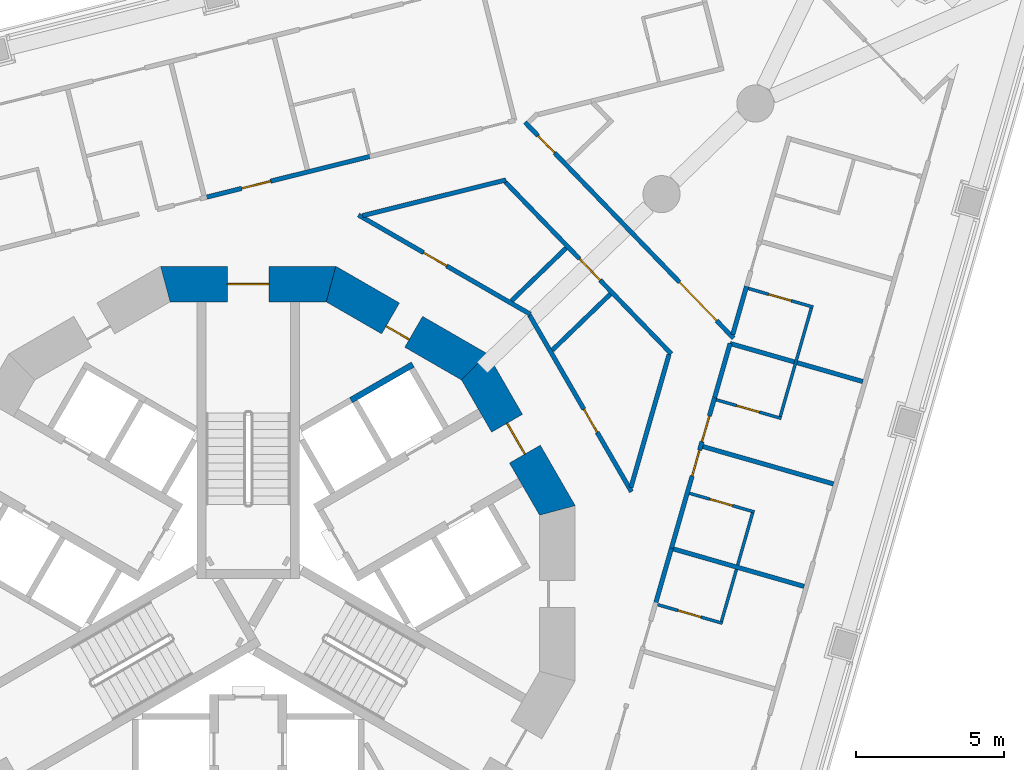
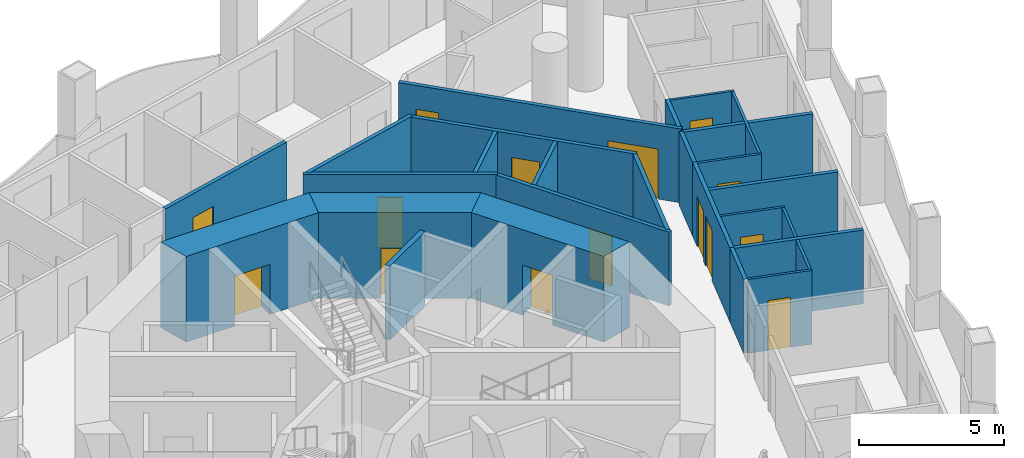
# One storey, part 10 of 20: 27 walls, 15 doors, 15 openings.
"""IFC4 building model written with IfcOpenShell, lengths in metres."""

from ifc_helpers import new_model, si_unit, direction, frame, frame_2d, origin, place, context, subcontext, project, spatial, polyline, rectangle, outline, extrude, material, layer, layer_set, type_object, element, fill, save


model = new_model("IFC4")

# Units and contexts
model_context = context("Model", 3, precision=1e-05, world=origin(), true_north=direction((0.0, 1.0)))
body_context = subcontext(model_context, "Body", "Model", "MODEL_VIEW")
ifc_project = project(units=[si_unit("LENGTHUNIT", "METRE"), si_unit("AREAUNIT", "SQUARE_METRE"), si_unit("VOLUMEUNIT", "CUBIC_METRE"), si_unit("PLANEANGLEUNIT", "RADIAN"), si_unit("MASSUNIT", "GRAM", prefix="KILO")], contexts=[model_context])

# Site, building, storey
site_placement = place(None, origin())
site = spatial("IfcSite", under=ifc_project, at=site_placement, CompositionType="ELEMENT")
building_placement = place(site_placement, origin())
building = spatial("IfcBuilding", under=site, at=building_placement, Name="Trine Commons Tower", CompositionType="ELEMENT")
storey_placement = place(building_placement, frame((0.0, 0.0, 116.10009765625)))
storey = spatial("IfcBuildingStorey", under=building, at=storey_placement, Name="L29", CompositionType="ELEMENT", Elevation=116.10009765625)

# Wall, opening, door
ifc_material_1 = material(Name="Concrete C70/85", Category="concrete")
ifc_layer_1 = layer(ifc_material_1, 1.199951171875)
ifc_layer_set_1 = layer_set([ifc_layer_1], Name="Concrete C70/85")
wall_type_1 = type_object("IfcWallType", Name="RC shear wall 1200 mm, C70/85", PredefinedType="SHEAR", material=ifc_layer_set_1)
wall_1_placement = place(storey_placement, frame((90.491943359375, 65.150390625, 0.0), z_axis=(0.0, 0.0, 1.0), x_axis=(-0.499979111662, 0.866037463336, 0.0)))
wall_1 = element("IfcWall", 1, at=wall_1_placement, inside=storey, type_object=wall_type_1, Name="Core wall CWC-02 L29", PredefinedType="SHEAR", context=body_context, shape_type="SweptSolid", body=[
    extrude(outline(polyline([(0.0, -0.60009765625), (5.901123046875, -0.60009765625), (5.57958984375, 0.60009765625), (0.321533203125, 0.60009765625), (0.0, -0.60009765625)])), origin(), (0.0, 0.0, 1.0), 3.599853515625),
])
opening_1_placement = place(wall_1_placement, frame((2.3505859375, 0.0, 0.0)))
opening_1 = element("IfcOpeningElement", 2, at=opening_1_placement, cuts=wall_1, Name="Opening K04.04", PredefinedType="OPENING", context=body_context, shape_type="SweptSolid", body=[
    extrude(rectangle(XDim=1.199951171875, YDim=2.10009765625, at=frame_2d((0.60009765625, 1.050048828125))), frame((0.0, 0.60986328125, 0.0), z_axis=(0.0, -1.0, 0.0), x_axis=(1.0, 0.0, 0.0)), (0.0, 0.0, 1.0), 1.219970703125),
])
ifc_material_2 = material(Name="Steel door leaves, fire-rated", Category="steel")
door_type_1 = type_object("IfcDoorType", Name="Lobby door, double leaf 1200 x 2100, FD60", OperationType="DOUBLE_DOOR_SINGLE_SWING", PredefinedType="DOOR", material=ifc_material_2)
door_1_placement = place(opening_1_placement, origin())
door_1 = element("IfcDoor", 3, at=door_1_placement, inside=storey, type_object=door_type_1, Name="Lobby door, Passenger lift lobby A L29", OperationType="DOUBLE_DOOR_SINGLE_SWING", OverallHeight=2.10009765625, OverallWidth=1.199951171875, PredefinedType="DOOR", context=body_context, shape_type="SweptSolid", body=[
    extrude(rectangle(XDim=1.199951171875, YDim=2.10009765625, at=frame_2d((0.60009765625, 1.050048828125))), frame((0.0, 0.02490234375, 0.0), z_axis=(0.0, -1.0, 0.0), x_axis=(1.0, 0.0, 0.0)), (0.0, 0.0, 1.0), 0.050048828125),
])
fill(opening_1, door_1)

wall_2_placement = place(storey_placement, frame((87.760986328125, 70.04150390625, 0.0), z_axis=(0.0, 0.0, 1.0), x_axis=(-0.866037463336, 0.499979111662, 0.0)))
wall_2 = element("IfcWall", 4, at=wall_2_placement, inside=storey, type_object=wall_type_1, Name="Core wall CWC-03 L29", PredefinedType="SHEAR", context=body_context, shape_type="SweptSolid", body=[
    extrude(outline(polyline([(0.0, -0.60009765625), (5.901123046875, -0.60009765625), (5.57958984375, 0.60009765625), (0.321533203125, 0.60009765625), (0.0, -0.60009765625)])), origin(), (0.0, 0.0, 1.0), 3.599853515625),
])
opening_2_placement = place(wall_2_placement, frame((2.526611328125, 0.0, 0.0)))
opening_2 = element("IfcOpeningElement", 5, at=opening_2_placement, cuts=wall_2, Name="Opening K04.12", PredefinedType="OPENING", context=body_context, shape_type="SweptSolid", body=[
    extrude(rectangle(XDim=0.89990234375, YDim=2.10009765625, at=frame_2d((0.449951171875, 1.050048828125))), frame((0.0, 0.60986328125, 0.0), z_axis=(0.0, -1.0, 0.0), x_axis=(1.0, 0.0, 0.0)), (0.0, 0.0, 1.0), 1.219970703125),
])
ifc_material_3 = material(Name="Steel door leaf, fire-rated", Category="steel")
door_type_2 = type_object("IfcDoorType", Name="Core room door, single leaf 900 x 2100, FD30S", OperationType="SINGLE_SWING_LEFT", PredefinedType="DOOR", material=ifc_material_3)
door_2_placement = place(opening_2_placement, origin())
door_2 = element("IfcDoor", 6, at=door_2_placement, inside=storey, type_object=door_type_2, Name="Door to Linen store L29", OperationType="SINGLE_SWING_RIGHT", OverallHeight=2.10009765625, OverallWidth=0.89990234375, PredefinedType="DOOR", context=body_context, shape_type="SweptSolid", body=[
    extrude(rectangle(XDim=0.89990234375, YDim=2.10009765625, at=frame_2d((0.449951171875, 1.050048828125))), frame((0.0, 0.3251953125, 0.0), z_axis=(0.0, -1.0, 0.0), x_axis=(1.0, 0.0, 0.0)), (0.0, 0.0, 1.0), 0.050048828125),
])
fill(opening_2, door_2)

wall_3_placement = place(storey_placement, frame((82.950439453125, 72.91162109375, 0.0), z_axis=(0.0, 0.0, 1.0), x_axis=(-1.0, 0.0, 0.0)))
wall_3 = element("IfcWall", 7, at=wall_3_placement, inside=storey, type_object=wall_type_1, Name="Core wall CWC-04 L29", PredefinedType="SHEAR", context=body_context, shape_type="SweptSolid", body=[
    extrude(outline(polyline([(0.0, -0.60009765625), (5.90087890625, -0.60009765625), (5.57958984375, 0.60009765625), (0.321533203125, 0.60009765625), (0.0, -0.60009765625)])), origin(), (0.0, 0.0, 1.0), 3.599853515625),
])
opening_3_placement = place(wall_3_placement, frame((2.25048828125, 0.0, 0.0)))
opening_3 = element("IfcOpeningElement", 8, at=opening_3_placement, cuts=wall_3, Name="Opening K04.01", PredefinedType="OPENING", context=body_context, shape_type="SweptSolid", body=[
    extrude(rectangle(XDim=1.39990234375, YDim=2.10009765625, at=frame_2d((0.699951171875, 1.050048828125))), frame((0.0, 0.60986328125, 0.0), z_axis=(0.0, -1.0, 0.0), x_axis=(1.0, 0.0, 0.0)), (0.0, 0.0, 1.0), 1.219970703125),
])
door_type_3 = type_object("IfcDoorType", Name="Stair door, double leaf 1400 x 2100, FD90", OperationType="DOUBLE_DOOR_SINGLE_SWING", PredefinedType="DOOR", material=ifc_material_2)
door_3_placement = place(opening_3_placement, origin())
door_3 = element("IfcDoor", 9, at=door_3_placement, inside=storey, type_object=door_type_3, Name="Stair door to Exit stair ST1A L29", OperationType="DOUBLE_DOOR_SINGLE_SWING", OverallHeight=2.10009765625, OverallWidth=1.39990234375, PredefinedType="DOOR", context=body_context, shape_type="SweptSolid", body=[
    extrude(rectangle(XDim=1.39990234375, YDim=2.10009765625, at=frame_2d((0.699951171875, 1.050048828125))), frame((0.0, 0.02490234375, 0.0), z_axis=(0.0, -1.0, 0.0), x_axis=(1.0, 0.0, 0.0)), (0.0, 0.0, 1.0), 0.050048828125),
])
fill(opening_3, door_3)

# Wall
ifc_material_4 = material(Name="Fire-rated gypsum shaft wall system")
ifc_layer_2 = layer(ifc_material_4, 0.199951171875)
ifc_layer_set_2 = layer_set([ifc_layer_2], Name="Fire-rated gypsum shaft wall system")
wall_type_2 = type_object("IfcWallType", Name="Shaft wall 200 mm, EI 120", PredefinedType="PARTITIONING", material=ifc_layer_set_2)
wall_4_placement = place(storey_placement, frame((83.4619140625, 69.001953125, 0.0), z_axis=(0.0, 0.0, 1.0), x_axis=(0.866202511239, 0.499693115345, 0.0)))
element("IfcWall", 10, at=wall_4_placement, inside=storey, type_object=wall_type_2, Name="Shaft wall L29", PredefinedType="PARTITIONING", context=body_context, shape_type="SweptSolid", body=[
    extrude(rectangle(XDim=2.4013671875, YDim=0.199951171875, at=frame_2d((1.20068359375, 0.0))), origin(), (0.0, 0.0, 1.0), 3.099853515625),
])

# Wall, opening, door
ifc_material_5 = material(Name="Gypsum plasterboard on steel stud", Category="steel")
ifc_layer_3 = layer(ifc_material_5, 0.14990234375)
ifc_layer_set_3 = layer_set([ifc_layer_3], Name="Gypsum plasterboard on steel stud")
wall_type_3 = type_object("IfcWallType", Name="Unit and corridor wall 150 mm, EI 60", PredefinedType="PARTITIONING", material=ifc_layer_set_3)
wall_5_placement = place(storey_placement, frame((78.52392578125, 75.820068359375, 0.0), z_axis=(0.0, 0.0, 1.0), x_axis=(0.970305795141, 0.241881508008, 0.0)))
wall_5 = element("IfcWall", 11, at=wall_5_placement, inside=storey, type_object=wall_type_3, Name="Partition 067", PredefinedType="PARTITIONING", context=body_context, shape_type="SweptSolid", body=[
    extrude(rectangle(XDim=5.796630859375, YDim=0.14990234375, at=frame_2d((2.8984375, 0.0))), origin(), (0.0, 0.0, 1.0), 3.099853515625),
])
opening_4_placement = place(wall_5_placement, frame((1.29833984375, 0.0, 0.0)))
opening_4 = element("IfcOpeningElement", 12, at=opening_4_placement, cuts=wall_5, Name="Opening D-3C13", PredefinedType="OPENING", context=body_context, shape_type="SweptSolid", body=[
    extrude(rectangle(XDim=1.0, YDim=2.10009765625, at=frame_2d((0.5, 1.050048828125))), frame((0.0, 0.0849609375, 0.0), z_axis=(0.0, -1.0, 0.0), x_axis=(1.0, 0.0, 0.0)), (0.0, 0.0, 1.0), 0.169921875),
])
ifc_material_6 = material(Name="Painted timber", Category="wood")
door_type_4 = type_object("IfcDoorType", Name="Amenity room door 1000 x 2100, NOT RATED", OperationType="NOTDEFINED", PredefinedType="DOOR", material=ifc_material_6)
door_4_placement = place(opening_4_placement, origin())
door_4 = element("IfcDoor", 13, at=door_4_placement, inside=storey, type_object=door_type_4, Name="Door D-3C13", OperationType="SINGLE_SWING_LEFT", OverallHeight=2.10009765625, OverallWidth=1.0, PredefinedType="DOOR", context=body_context, shape_type="SweptSolid", body=[
    extrude(rectangle(XDim=1.0, YDim=2.10009765625, at=frame_2d((0.5, 1.050048828125))), frame((0.0, 0.02490234375, 0.0), z_axis=(0.0, -1.0, 0.0), x_axis=(1.0, 0.0, 0.0)), (0.0, 0.0, 1.0), 0.050048828125),
])
fill(opening_4, door_4)

wall_6_placement = place(storey_placement, frame((83.7119140625, 75.237548828125, 0.0), z_axis=(0.0, 0.0, 1.0), x_axis=(0.866033484359, -0.499986003774, 0.0)))
wall_6 = element("IfcWall", 14, at=wall_6_placement, inside=storey, type_object=wall_type_3, Name="Partition 084", PredefinedType="PARTITIONING", context=body_context, shape_type="SweptSolid", body=[
    extrude(rectangle(XDim=6.682373046875, YDim=0.14990234375, at=frame_2d((3.34130859375, 0.0))), origin(), (0.0, 0.0, 1.0), 3.099853515625),
])
opening_5_placement = place(wall_6_placement, frame((2.53271484375, 0.0, 0.0)))
opening_5 = element("IfcOpeningElement", 15, at=opening_5_placement, cuts=wall_6, Name="Opening D-3C35", PredefinedType="OPENING", context=body_context, shape_type="SweptSolid", body=[
    extrude(rectangle(XDim=0.89990234375, YDim=2.10009765625, at=frame_2d((0.449951171875, 1.050048828125))), frame((0.0, 0.0849609375, 0.0), z_axis=(0.0, -1.0, 0.0), x_axis=(1.0, 0.0, 0.0)), (0.0, 0.0, 1.0), 0.169921875),
])
ifc_material_7 = material(Name="Timber fire door set", Category="wood")
door_type_5 = type_object("IfcDoorType", Name="Service door 900 x 2100, FD30S", OperationType="NOTDEFINED", PredefinedType="DOOR", material=ifc_material_7)
door_5_placement = place(opening_5_placement, origin())
door_5 = element("IfcDoor", 16, at=door_5_placement, inside=storey, type_object=door_type_5, Name="Door D-3C35", OperationType="SINGLE_SWING_LEFT", OverallHeight=2.10009765625, OverallWidth=0.89990234375, PredefinedType="DOOR", context=body_context, shape_type="SweptSolid", body=[
    extrude(rectangle(XDim=0.89990234375, YDim=2.10009765625, at=frame_2d((0.449951171875, 1.050048828125))), frame((0.0, 0.02490234375, 0.0), z_axis=(0.0, -1.0, 0.0), x_axis=(1.0, 0.0, 0.0)), (0.0, 0.0, 1.0), 0.050048828125),
])
fill(opening_5, door_5)

# Wall
wall_7_placement = place(storey_placement, frame((83.852783203125, 75.216064453125, 0.0), z_axis=(0.0, 0.0, 1.0), x_axis=(0.970312588938, 0.241854253112, 0.0)))
element("IfcWall", 17, at=wall_7_placement, inside=storey, type_object=wall_type_3, Name="Partition 085", PredefinedType="PARTITIONING", context=body_context, shape_type="SweptSolid", body=[
    extrude(rectangle(XDim=4.974609375, YDim=0.14990234375, at=frame_2d((2.4873046875, 0.0))), origin(), (0.0, 0.0, 1.0), 3.099853515625),
])

# Wall, opening, door
wall_8_placement = place(storey_placement, frame((88.6591796875, 76.34716796875, 0.0), z_axis=(0.0, 0.0, 1.0), x_axis=(0.694672534157, -0.719326122345, 0.0)))
wall_8 = element("IfcWall", 18, at=wall_8_placement, inside=storey, type_object=wall_type_3, Name="Partition 106", PredefinedType="PARTITIONING", context=body_context, shape_type="SweptSolid", body=[
    extrude(rectangle(XDim=8.041015625, YDim=0.14990234375, at=frame_2d((4.0205078125, 0.0))), origin(), (0.0, 0.0, 1.0), 3.099853515625),
])
opening_6_placement = place(wall_8_placement, frame((3.595458984375, 0.0, 0.0)))
opening_6 = element("IfcOpeningElement", 19, at=opening_6_placement, cuts=wall_8, Name="Opening D-3C42", PredefinedType="OPENING", context=body_context, shape_type="SweptSolid", body=[
    extrude(rectangle(XDim=1.0, YDim=2.10009765625, at=frame_2d((0.5, 1.050048828125))), frame((0.0, 0.0849609375, 0.0), z_axis=(0.0, -1.0, 0.0), x_axis=(1.0, 0.0, 0.0)), (0.0, 0.0, 1.0), 0.169921875),
])
door_type_6 = type_object("IfcDoorType", Name="Toilet door 1000 x 2100, NOT RATED", OperationType="NOTDEFINED", PredefinedType="DOOR", material=ifc_material_6)
door_6_placement = place(opening_6_placement, frame((1.0, 0.0, 0.0), z_axis=(0.0, 0.0, 1.0), x_axis=(-1.0, 0.0, 0.0)))
door_6 = element("IfcDoor", 20, at=door_6_placement, inside=storey, type_object=door_type_6, Name="Door D-3C42", OperationType="SINGLE_SWING_LEFT", OverallHeight=2.10009765625, OverallWidth=1.0, PredefinedType="DOOR", context=body_context, shape_type="SweptSolid", body=[
    extrude(rectangle(XDim=1.0, YDim=2.10009765625, at=frame_2d((0.5, 1.050048828125))), frame((0.0, 0.02490234375, 0.0), z_axis=(0.0, -1.0, 0.0), x_axis=(1.0, 0.0, 0.0)), (0.0, 0.0, 1.0), 0.050048828125),
])
fill(opening_6, door_6)

# Wall
wall_9_placement = place(storey_placement, frame((88.864013671875, 72.34619140625, 0.0), z_axis=(0.0, 0.0, 1.0), x_axis=(0.719366900494, 0.694630306332, 0.0)))
element("IfcWall", 21, at=wall_9_placement, inside=storey, type_object=wall_type_3, Name="Partition 107", PredefinedType="PARTITIONING", context=body_context, shape_type="SweptSolid", body=[
    extrude(rectangle(XDim=2.55615234375, YDim=0.14990234375, at=frame_2d((1.278076171875, 0.0))), origin(), (0.0, 0.0, 1.0), 3.099853515625),
])

# Wall, openings, doors
wall_10_placement = place(storey_placement, frame((89.322998046875, 78.35791015625, 0.0), z_axis=(0.0, 0.0, 1.0), x_axis=(0.694707851552, -0.719292013713, 0.0)))
wall_10 = element("IfcWall", 22, at=wall_10_placement, inside=storey, type_object=wall_type_3, Name="Partition 112", PredefinedType="PARTITIONING", context=body_context, shape_type="SweptSolid", body=[
    extrude(rectangle(XDim=10.109619140625, YDim=0.14990234375, at=frame_2d((5.0546875, 0.0))), origin(), (0.0, 0.0, 1.0), 3.099853515625),
])
opening_7_placement = place(wall_10_placement, frame((7.484130859375, 0.0, 0.0)))
opening_7 = element("IfcOpeningElement", 23, at=opening_7_placement, cuts=wall_10, Name="Opening D-3C01", PredefinedType="OPENING", context=body_context, shape_type="SweptSolid", body=[
    extrude(rectangle(XDim=1.800048828125, YDim=2.10009765625, at=frame_2d((0.89990234375, 1.050048828125))), frame((0.0, 0.0849609375, 0.0), z_axis=(0.0, -1.0, 0.0), x_axis=(1.0, 0.0, 0.0)), (0.0, 0.0, 1.0), 0.169921875),
])
opening_8_placement = place(wall_10_placement, frame((0.628662109375, 0.0, 0.0)))
opening_8 = element("IfcOpeningElement", 24, at=opening_8_placement, cuts=wall_10, Name="Opening D-3C04", PredefinedType="OPENING", context=body_context, shape_type="SweptSolid", body=[
    extrude(rectangle(XDim=0.800048828125, YDim=2.10009765625, at=frame_2d((0.39990234375, 1.050048828125))), frame((0.0, 0.0849609375, 0.0), z_axis=(0.0, -1.0, 0.0), x_axis=(1.0, 0.0, 0.0)), (0.0, 0.0, 1.0), 0.169921875),
])
door_type_7 = type_object("IfcDoorType", Name="Cluster entrance door 1800 x 2100, double leaf, FD30S", OperationType="DOUBLE_DOOR_DOUBLE_SWING", PredefinedType="DOOR", material=ifc_material_7)
door_7_placement = place(opening_7_placement, origin())
door_7 = element("IfcDoor", 25, at=door_7_placement, inside=storey, type_object=door_type_7, Name="Door D-3C01", OperationType="DOUBLE_DOOR_DOUBLE_SWING", OverallHeight=2.10009765625, OverallWidth=1.800048828125, PredefinedType="DOOR", context=body_context, shape_type="SweptSolid", body=[
    extrude(rectangle(XDim=1.800048828125, YDim=2.10009765625, at=frame_2d((0.89990234375, 1.050048828125))), frame((0.0, 0.02490234375, 0.0), z_axis=(0.0, -1.0, 0.0), x_axis=(1.0, 0.0, 0.0)), (0.0, 0.0, 1.0), 0.050048828125),
])
fill(opening_7, door_7)
door_type_8 = type_object("IfcDoorType", Name="Toilet door 800 x 2100, NOT RATED", OperationType="NOTDEFINED", PredefinedType="DOOR", material=ifc_material_6)
door_8_placement = place(opening_8_placement, origin())
door_8 = element("IfcDoor", 26, at=door_8_placement, inside=storey, type_object=door_type_8, Name="Door D-3C04", OperationType="SINGLE_SWING_LEFT", OverallHeight=2.10009765625, OverallWidth=0.800048828125, PredefinedType="DOOR", context=body_context, shape_type="SweptSolid", body=[
    extrude(rectangle(XDim=0.800048828125, YDim=2.10009765625, at=frame_2d((0.39990234375, 1.050048828125))), frame((0.0, 0.02490234375, 0.0), z_axis=(0.0, -1.0, 0.0), x_axis=(1.0, 0.0, 0.0)), (0.0, 0.0, 1.0), 0.050048828125),
])
fill(opening_8, door_8)

# Wall, opening, door
wall_11_placement = place(storey_placement, frame((89.471435546875, 71.868896484375, 0.0), z_axis=(0.0, 0.0, 1.0), x_axis=(0.500000410344, -0.866025166872, 0.0)))
wall_11 = element("IfcWall", 27, at=wall_11_placement, inside=storey, type_object=wall_type_3, Name="Partition 114", PredefinedType="PARTITIONING", context=body_context, shape_type="SweptSolid", body=[
    extrude(rectangle(XDim=6.8681640625, YDim=0.14990234375, at=frame_2d((3.43408203125, 0.0))), origin(), (0.0, 0.0, 1.0), 3.099853515625),
])
opening_9_placement = place(wall_11_placement, frame((3.65869140625, 0.0, 0.0)))
opening_9 = element("IfcOpeningElement", 28, at=opening_9_placement, cuts=wall_11, Name="Opening D-3C37", PredefinedType="OPENING", context=body_context, shape_type="SweptSolid", body=[
    extrude(rectangle(XDim=0.89990234375, YDim=2.10009765625, at=frame_2d((0.449951171875, 1.050048828125))), frame((0.0, 0.0849609375, 0.0), z_axis=(0.0, -1.0, 0.0), x_axis=(1.0, 0.0, 0.0)), (0.0, 0.0, 1.0), 0.169921875),
])
door_9_placement = place(opening_9_placement, origin())
door_9 = element("IfcDoor", 29, at=door_9_placement, inside=storey, type_object=door_type_5, Name="Door D-3C37", OperationType="SINGLE_SWING_RIGHT", OverallHeight=2.10009765625, OverallWidth=0.89990234375, PredefinedType="DOOR", context=body_context, shape_type="SweptSolid", body=[
    extrude(rectangle(XDim=0.89990234375, YDim=2.10009765625, at=frame_2d((0.449951171875, 1.050048828125))), frame((0.0, 0.02490234375, 0.0), z_axis=(0.0, -1.0, 0.0), x_axis=(1.0, 0.0, 0.0)), (0.0, 0.0, 1.0), 0.050048828125),
])
fill(opening_9, door_9)

# Walls
wall_12_placement = place(storey_placement, frame((90.239013671875, 70.68408203125, 0.0), z_axis=(0.0, 0.0, 1.0), x_axis=(0.719152656364, 0.694852111492, 0.0)))
element("IfcWall", 30, at=wall_12_placement, inside=storey, type_object=wall_type_3, Name="Partition 118", PredefinedType="PARTITIONING", context=body_context, shape_type="SweptSolid", body=[
    extrude(rectangle(XDim=2.72265625, YDim=0.14990234375, at=frame_2d((1.361328125, 0.0))), origin(), (0.0, 0.0, 1.0), 3.099853515625),
])
wall_13_placement = place(storey_placement, frame((92.88671875, 66.06103515625, 0.0), z_axis=(0.0, 0.0, 1.0), x_axis=(0.275619666794, 0.961266768008, 0.0)))
element("IfcWall", 31, at=wall_13_placement, inside=storey, type_object=wall_type_3, Name="Partition 127", PredefinedType="PARTITIONING", context=body_context, shape_type="SweptSolid", body=[
    extrude(rectangle(XDim=4.66455078125, YDim=0.14990234375, at=frame_2d((2.332275390625, 0.0))), origin(), (0.0, 0.0, 1.0), 3.099853515625),
])
wall_14_placement = place(storey_placement, frame((93.7119140625, 62.134033203125, 0.0), z_axis=(0.0, 0.0, 1.0), x_axis=(0.275675684966, 0.961250704405, 0.0)))
element("IfcWall", 32, at=wall_14_placement, inside=storey, type_object=wall_type_3, Name="Partition 135", PredefinedType="PARTITIONING", context=body_context, shape_type="SweptSolid", body=[
    extrude(rectangle(XDim=1.958984375, YDim=0.14990234375, at=frame_2d((0.9794921875, 0.0))), origin(), (0.0, 0.0, 1.0), 3.099853515625),
])

# Wall, openings, doors
wall_15_placement = place(storey_placement, frame((94.228271484375, 63.93701171875, 0.0), z_axis=(0.0, 0.0, 1.0), x_axis=(0.275671537748, 0.96125189377, 0.0)))
wall_15 = element("IfcWall", 33, at=wall_15_placement, inside=storey, type_object=wall_type_3, Name="Partition 137", PredefinedType="PARTITIONING", context=body_context, shape_type="SweptSolid", body=[
    extrude(rectangle(XDim=5.35986328125, YDim=0.14990234375, at=frame_2d((2.679931640625, 0.0))), origin(), (0.0, 0.0, 1.0), 3.099853515625),
])
opening_10_placement = place(wall_15_placement, frame((3.817138671875, 0.0, 0.0)))
opening_10 = element("IfcOpeningElement", 34, at=opening_10_placement, cuts=wall_15, Name="Opening D-3C18", PredefinedType="OPENING", context=body_context, shape_type="SweptSolid", body=[
    extrude(rectangle(XDim=0.89990234375, YDim=2.10009765625, at=frame_2d((0.449951171875, 1.050048828125))), frame((0.0, 0.0849609375, 0.0), z_axis=(0.0, -1.0, 0.0), x_axis=(1.0, 0.0, 0.0)), (0.0, 0.0, 1.0), 0.169921875),
])
opening_11_placement = place(wall_15_placement, frame((2.6171875, 0.0, 0.0)))
opening_11 = element("IfcOpeningElement", 35, at=opening_11_placement, cuts=wall_15, Name="Opening D-3C19", PredefinedType="OPENING", context=body_context, shape_type="SweptSolid", body=[
    extrude(rectangle(XDim=0.89990234375, YDim=2.10009765625, at=frame_2d((0.449951171875, 1.050048828125))), frame((0.0, 0.0849609375, 0.0), z_axis=(0.0, -1.0, 0.0), x_axis=(1.0, 0.0, 0.0)), (0.0, 0.0, 1.0), 0.169921875),
])
door_type_9 = type_object("IfcDoorType", Name="Bedroom door 900 x 2100, FD30S", OperationType="NOTDEFINED", PredefinedType="DOOR", material=ifc_material_7)
door_10_placement = place(opening_10_placement, frame((0.89990234375, 0.0, 0.0), z_axis=(0.0, 0.0, 1.0), x_axis=(-1.0, 0.0, 0.0)))
door_10 = element("IfcDoor", 36, at=door_10_placement, inside=storey, type_object=door_type_9, Name="Door D-3C18", OperationType="SINGLE_SWING_LEFT", OverallHeight=2.10009765625, OverallWidth=0.89990234375, PredefinedType="DOOR", context=body_context, shape_type="SweptSolid", body=[
    extrude(rectangle(XDim=0.89990234375, YDim=2.10009765625, at=frame_2d((0.449951171875, 1.050048828125))), frame((0.0, 0.02490234375, 0.0), z_axis=(0.0, -1.0, 0.0), x_axis=(1.0, 0.0, 0.0)), (0.0, 0.0, 1.0), 0.050048828125),
])
fill(opening_10, door_10)
door_11_placement = place(opening_11_placement, frame((0.89990234375, 0.0, 0.0), z_axis=(0.0, 0.0, 1.0), x_axis=(-1.0, 0.0, 0.0)))
door_11 = element("IfcDoor", 37, at=door_11_placement, inside=storey, type_object=door_type_9, Name="Door D-3C19", OperationType="SINGLE_SWING_LEFT", OverallHeight=2.10009765625, OverallWidth=0.89990234375, PredefinedType="DOOR", context=body_context, shape_type="SweptSolid", body=[
    extrude(rectangle(XDim=0.89990234375, YDim=2.10009765625, at=frame_2d((0.449951171875, 1.050048828125))), frame((0.0, 0.02490234375, 0.0), z_axis=(0.0, -1.0, 0.0), x_axis=(1.0, 0.0, 0.0)), (0.0, 0.0, 1.0), 0.050048828125),
])
fill(opening_11, door_11)

# Walls
wall_16_placement = place(storey_placement, frame((94.322021484375, 63.9921875, 0.0), z_axis=(0.0, 0.0, 1.0), x_axis=(0.961269673231, -0.275609534171, 0.0)))
element("IfcWall", 38, at=wall_16_placement, inside=storey, type_object=wall_type_3, Name="Partition 138", PredefinedType="PARTITIONING", context=body_context, shape_type="SweptSolid", body=[
    extrude(rectangle(XDim=4.572509765625, YDim=0.14990234375, at=frame_2d((2.2861328125, 0.0))), origin(), (0.0, 0.0, 1.0), 3.099853515625),
])
wall_17_placement = place(storey_placement, frame((95.31103515625, 67.44140625, 0.0), z_axis=(0.0, 0.0, 1.0), x_axis=(0.961255526758, -0.275658869398, 0.0)))
element("IfcWall", 39, at=wall_17_placement, inside=storey, type_object=wall_type_3, Name="Partition 141", PredefinedType="PARTITIONING", context=body_context, shape_type="SweptSolid", body=[
    extrude(rectangle(XDim=4.57275390625, YDim=0.14990234375, at=frame_2d((2.286376953125, 0.0))), origin(), (0.0, 0.0, 1.0), 3.099853515625),
])
wall_18_placement = place(storey_placement, frame((95.70703125, 69.092041015625, 0.0), z_axis=(0.0, 0.0, 1.0), x_axis=(0.275265230362, 0.961368323253, 0.0)))
element("IfcWall", 40, at=wall_18_placement, inside=storey, type_object=wall_type_3, Name="Partition 144", PredefinedType="PARTITIONING", context=body_context, shape_type="SweptSolid", body=[
    extrude(rectangle(XDim=1.896240234375, YDim=0.14990234375, at=frame_2d((0.9482421875, 0.0))), origin(), (0.0, 0.0, 1.0), 3.099853515625),
])
wall_19_placement = place(storey_placement, frame((96.22802734375, 70.910888671875, 0.0), z_axis=(0.0, 0.0, 1.0), x_axis=(0.961263836782, -0.275629889699, 0.0)))
element("IfcWall", 41, at=wall_19_placement, inside=storey, type_object=wall_type_3, Name="Partition 146", PredefinedType="PARTITIONING", context=body_context, shape_type="SweptSolid", body=[
    extrude(rectangle(XDim=4.6474609375, YDim=0.14990234375, at=frame_2d((2.32373046875, 0.0))), origin(), (0.0, 0.0, 1.0), 3.099853515625),
])
wall_20_placement = place(storey_placement, frame((96.314697265625, 71.212158203125, 0.0), z_axis=(0.0, 0.0, 1.0), x_axis=(0.275540757527, 0.9612893898, 0.0)))
element("IfcWall", 42, at=wall_20_placement, inside=storey, type_object=wall_type_3, Name="Partition 147", PredefinedType="PARTITIONING", context=body_context, shape_type="SweptSolid", body=[
    extrude(rectangle(XDim=1.69140625, YDim=0.14990234375, at=frame_2d((0.845703125, 0.0))), origin(), (0.0, 0.0, 1.0), 3.099853515625),
])

# Wall, opening, door
ifc_layer_4 = layer(ifc_material_5, 0.10009765625)
ifc_layer_set_4 = layer_set([ifc_layer_4], Name="Gypsum plasterboard on steel stud")
wall_type_4 = type_object("IfcWallType", Name="Unit partition 100 mm, no rating", PredefinedType="PARTITIONING", material=ifc_layer_set_4)
wall_21_placement = place(storey_placement, frame((93.78515625, 62.1171875, 0.0), z_axis=(0.0, 0.0, 1.0), x_axis=(0.961247989745, -0.27568515051, 0.0)))
wall_21 = element("IfcWall", 43, at=wall_21_placement, inside=storey, type_object=wall_type_4, Name="Partition 136", PredefinedType="PARTITIONING", context=body_context, shape_type="SweptSolid", body=[
    extrude(rectangle(XDim=2.274169921875, YDim=0.10009765625, at=frame_2d((1.13720703125, 0.0))), origin(), (0.0, 0.0, 1.0), 3.099853515625),
])
opening_12_placement = place(wall_21_placement, frame((0.7119140625, 0.0, 0.0)))
opening_12 = element("IfcOpeningElement", 44, at=opening_12_placement, cuts=wall_21, Name="Opening D-3C55", PredefinedType="OPENING", context=body_context, shape_type="SweptSolid", body=[
    extrude(rectangle(XDim=0.800048828125, YDim=2.10009765625, at=frame_2d((0.39990234375, 1.050048828125))), frame((0.0, 0.06005859375, 0.0), z_axis=(0.0, -1.0, 0.0), x_axis=(1.0, 0.0, 0.0)), (0.0, 0.0, 1.0), 0.1201171875),
])
door_type_10 = type_object("IfcDoorType", Name="Internal door 800 x 2100, NOT RATED", OperationType="NOTDEFINED", PredefinedType="DOOR", material=ifc_material_6)
door_12_placement = place(opening_12_placement, frame((0.800048828125, 0.0, 0.0), z_axis=(0.0, 0.0, 1.0), x_axis=(-1.0, 0.0, 0.0)))
door_12 = element("IfcDoor", 45, at=door_12_placement, inside=storey, type_object=door_type_10, Name="Door D-3C55", OperationType="SINGLE_SWING_RIGHT", OverallHeight=2.10009765625, OverallWidth=0.800048828125, PredefinedType="DOOR", context=body_context, shape_type="SweptSolid", body=[
    extrude(rectangle(XDim=0.800048828125, YDim=2.10009765625, at=frame_2d((0.39990234375, 1.050048828125))), frame((0.0, 0.02490234375, 0.0), z_axis=(0.0, -1.0, 0.0), x_axis=(1.0, 0.0, 0.0)), (0.0, 0.0, 1.0), 0.050048828125),
])
fill(opening_12, door_12)

wall_22_placement = place(storey_placement, frame((94.860107421875, 65.8662109375, 0.0), z_axis=(0.0, 0.0, 1.0), x_axis=(0.961247989745, -0.27568515051, 0.0)))
wall_22 = element("IfcWall", 46, at=wall_22_placement, inside=storey, type_object=wall_type_4, Name="Partition 139", PredefinedType="PARTITIONING", context=body_context, shape_type="SweptSolid", body=[
    extrude(rectangle(XDim=2.274169921875, YDim=0.10009765625, at=frame_2d((1.13720703125, 0.0))), origin(), (0.0, 0.0, 1.0), 3.099853515625),
])
opening_13_placement = place(wall_22_placement, frame((0.7119140625, 0.0, 0.0)))
opening_13 = element("IfcOpeningElement", 47, at=opening_13_placement, cuts=wall_22, Name="Opening D-3C54", PredefinedType="OPENING", context=body_context, shape_type="SweptSolid", body=[
    extrude(rectangle(XDim=0.800048828125, YDim=2.10009765625, at=frame_2d((0.39990234375, 1.050048828125))), frame((0.0, 0.06005859375, 0.0), z_axis=(0.0, -1.0, 0.0), x_axis=(1.0, 0.0, 0.0)), (0.0, 0.0, 1.0), 0.1201171875),
])
door_13_placement = place(opening_13_placement, origin())
door_13 = element("IfcDoor", 48, at=door_13_placement, inside=storey, type_object=door_type_10, Name="Door D-3C54", OperationType="SINGLE_SWING_LEFT", OverallHeight=2.10009765625, OverallWidth=0.800048828125, PredefinedType="DOOR", context=body_context, shape_type="SweptSolid", body=[
    extrude(rectangle(XDim=0.800048828125, YDim=2.10009765625, at=frame_2d((0.39990234375, 1.050048828125))), frame((0.0, 0.02490234375, 0.0), z_axis=(0.0, -1.0, 0.0), x_axis=(1.0, 0.0, 0.0)), (0.0, 0.0, 1.0), 0.050048828125),
])
fill(opening_13, door_13)

wall_23_placement = place(storey_placement, frame((95.76318359375, 69.016357421875, 0.0), z_axis=(0.0, 0.0, 1.0), x_axis=(0.961252175385, -0.275670555767, 0.0)))
wall_23 = element("IfcWall", 49, at=wall_23_placement, inside=storey, type_object=wall_type_4, Name="Partition 143", PredefinedType="PARTITIONING", context=body_context, shape_type="SweptSolid", body=[
    extrude(rectangle(XDim=2.275146484375, YDim=0.10009765625, at=frame_2d((1.1376953125, 0.0))), origin(), (0.0, 0.0, 1.0), 3.099853515625),
])
opening_14_placement = place(wall_23_placement, frame((0.71240234375, 0.0, 0.0)))
opening_14 = element("IfcOpeningElement", 50, at=opening_14_placement, cuts=wall_23, Name="Opening D-3C53", PredefinedType="OPENING", context=body_context, shape_type="SweptSolid", body=[
    extrude(rectangle(XDim=0.800048828125, YDim=2.10009765625, at=frame_2d((0.39990234375, 1.050048828125))), frame((0.0, 0.06005859375, 0.0), z_axis=(0.0, -1.0, 0.0), x_axis=(1.0, 0.0, 0.0)), (0.0, 0.0, 1.0), 0.1201171875),
])
door_14_placement = place(opening_14_placement, frame((0.800048828125, 0.0, 0.0), z_axis=(0.0, 0.0, 1.0), x_axis=(-1.0, 0.0, 0.0)))
door_14 = element("IfcDoor", 51, at=door_14_placement, inside=storey, type_object=door_type_10, Name="Door D-3C53", OperationType="SINGLE_SWING_RIGHT", OverallHeight=2.10009765625, OverallWidth=0.800048828125, PredefinedType="DOOR", context=body_context, shape_type="SweptSolid", body=[
    extrude(rectangle(XDim=0.800048828125, YDim=2.10009765625, at=frame_2d((0.39990234375, 1.050048828125))), frame((0.0, 0.02490234375, 0.0), z_axis=(0.0, -1.0, 0.0), x_axis=(1.0, 0.0, 0.0)), (0.0, 0.0, 1.0), 0.050048828125),
])
fill(opening_14, door_14)

# Walls
wall_24_placement = place(storey_placement, frame((95.936767578125, 61.552001953125, 0.0), z_axis=(0.0, 0.0, 1.0), x_axis=(0.275745372376, 0.96123071612, 0.0)))
element("IfcWall", 52, at=wall_24_placement, inside=storey, type_object=wall_type_4, Name="Partition 145", PredefinedType="PARTITIONING", context=body_context, shape_type="SweptSolid", body=[
    extrude(rectangle(XDim=1.82568359375, YDim=0.10009765625, at=frame_2d((0.912841796875, 0.0))), origin(), (0.0, 0.0, 1.0), 3.099853515625),
])
wall_25_placement = place(storey_placement, frame((96.481689453125, 63.451171875, 0.0), z_axis=(0.0, 0.0, 1.0), x_axis=(0.275428095327, 0.96132167577, 0.0)))
element("IfcWall", 53, at=wall_25_placement, inside=storey, type_object=wall_type_4, Name="Partition 148", PredefinedType="PARTITIONING", context=body_context, shape_type="SweptSolid", body=[
    extrude(rectangle(XDim=1.82421875, YDim=0.10009765625, at=frame_2d((0.912109375, 0.0))), origin(), (0.0, 0.0, 1.0), 3.099853515625),
])

# Wall, opening, door
wall_26_placement = place(storey_placement, frame((96.838134765625, 72.765380859375, 0.0), z_axis=(0.0, 0.0, 1.0), x_axis=(0.961219536458, -0.275784340983, 0.0)))
wall_26 = element("IfcWall", 54, at=wall_26_placement, inside=storey, type_object=wall_type_4, Name="Partition 150", PredefinedType="PARTITIONING", context=body_context, shape_type="SweptSolid", body=[
    extrude(rectangle(XDim=2.274169921875, YDim=0.10009765625, at=frame_2d((1.13720703125, 0.0))), origin(), (0.0, 0.0, 1.0), 3.099853515625),
])
opening_15_placement = place(wall_26_placement, frame((0.7119140625, 0.0, 0.0)))
opening_15 = element("IfcOpeningElement", 55, at=opening_15_placement, cuts=wall_26, Name="Opening D-3C52", PredefinedType="OPENING", context=body_context, shape_type="SweptSolid", body=[
    extrude(rectangle(XDim=0.800048828125, YDim=2.10009765625, at=frame_2d((0.39990234375, 1.050048828125))), frame((0.0, 0.06005859375, 0.0), z_axis=(0.0, -1.0, 0.0), x_axis=(1.0, 0.0, 0.0)), (0.0, 0.0, 1.0), 0.1201171875),
])
door_15_placement = place(opening_15_placement, origin())
door_15 = element("IfcDoor", 56, at=door_15_placement, inside=storey, type_object=door_type_10, Name="Door D-3C52", OperationType="SINGLE_SWING_LEFT", OverallHeight=2.10009765625, OverallWidth=0.800048828125, PredefinedType="DOOR", context=body_context, shape_type="SweptSolid", body=[
    extrude(rectangle(XDim=0.800048828125, YDim=2.10009765625, at=frame_2d((0.39990234375, 1.050048828125))), frame((0.0, 0.02490234375, 0.0), z_axis=(0.0, -1.0, 0.0), x_axis=(1.0, 0.0, 0.0)), (0.0, 0.0, 1.0), 0.050048828125),
])
fill(opening_15, door_15)

# Wall
wall_27_placement = place(storey_placement, frame((97.915771484375, 68.451171875, 0.0), z_axis=(0.0, 0.0, 1.0), x_axis=(0.275382977001, 0.961334601467, 0.0)))
element("IfcWall", 57, at=wall_27_placement, inside=storey, type_object=wall_type_4, Name="Partition 154", PredefinedType="PARTITIONING", context=body_context, shape_type="SweptSolid", body=[
    extrude(rectangle(XDim=3.7998046875, YDim=0.10009765625, at=frame_2d((1.89990234375, 0.0))), origin(), (0.0, 0.0, 1.0), 3.099853515625),
])

save(model, "model.ifc")
